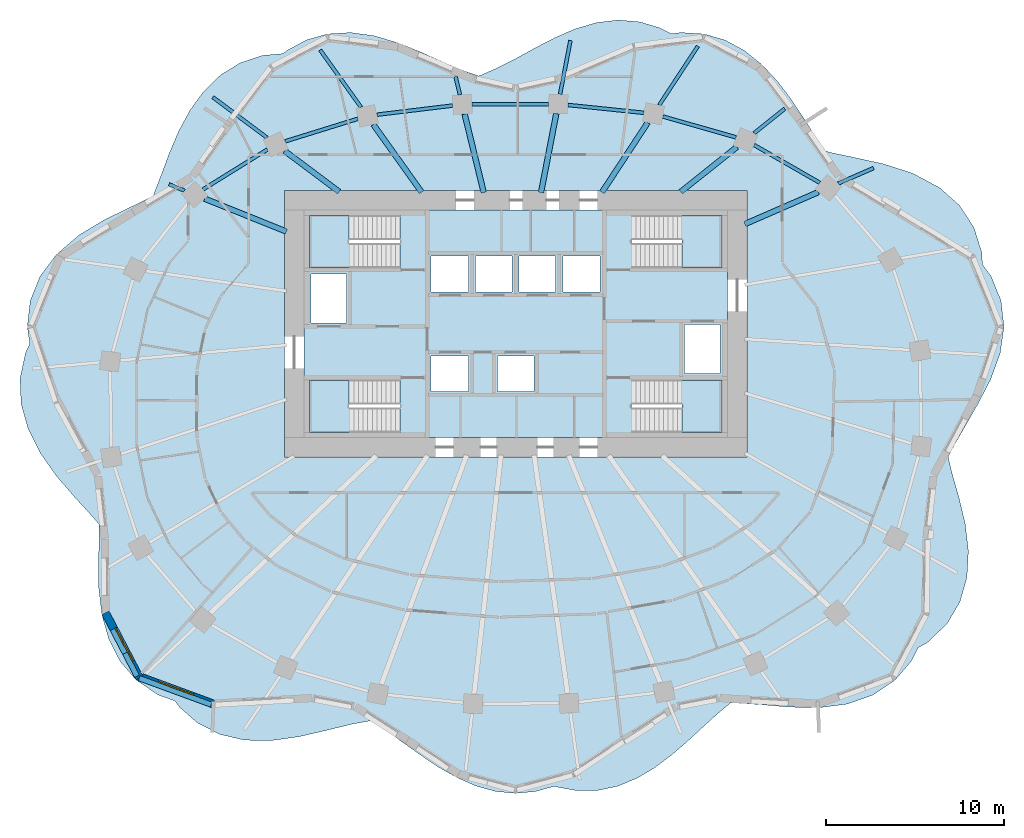
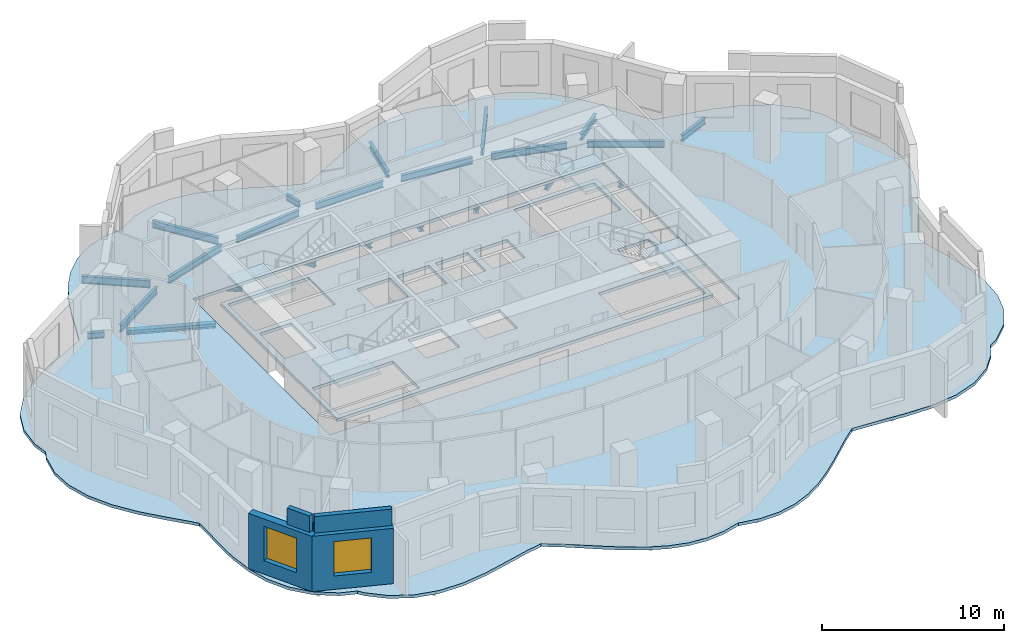
# One storey, part 2 of 10: 23 beams, 6 slabs, 4 walls, 2 windows, 2 openings, 4 elements without a shape of their own.
"""IFC4 building model written with IfcOpenShell, lengths in metres."""

from ifc_helpers import new_model, si_unit, direction, frame, frame_2d, origin, origin_2d, place, context, subcontext, project, spatial, polyline, rectangle, i_section, outline, extrude, material, layer, layer_set, material_profile, profile_set, type_object, element, fill, aggregate, save


model = new_model("IFC4")

# Units and contexts
model_context = context("Model", 3, precision=1e-05, world=origin(), true_north=direction((0.0, 1.0)))
body_context = subcontext(model_context, "Body", "Model", "MODEL_VIEW")
ifc_project = project(units=[si_unit("LENGTHUNIT", "METRE"), si_unit("AREAUNIT", "SQUARE_METRE"), si_unit("VOLUMEUNIT", "CUBIC_METRE"), si_unit("PLANEANGLEUNIT", "RADIAN"), si_unit("MASSUNIT", "GRAM", prefix="KILO")], contexts=[model_context])

# Site, building, storey
site_placement = place(None, origin())
site = spatial("IfcSite", under=ifc_project, at=site_placement, CompositionType="ELEMENT")
building_placement = place(site_placement, origin())
building = spatial("IfcBuilding", under=site, at=building_placement, Name="Rubra Terraces Tower", CompositionType="ELEMENT")
storey_placement = place(building_placement, frame((0.0, 0.0, 157.800048828125)))
storey = spatial("IfcBuildingStorey", under=building, at=storey_placement, Name="L38", CompositionType="ELEMENT", Elevation=157.800048828125)

# Beams
ifc_material_1 = material(Name="Steel Q355B", Category="steel")
ifc_material_profile_1 = material_profile(ifc_material_1, i_section(OverallWidth=0.199951171875, OverallDepth=0.39990234375, WebThickness=0.008056640625, FlangeThickness=0.012939453125, at=origin_2d()), Name="HN 400x200x8x13")
ifc_profile_set_1 = profile_set([ifc_material_profile_1], Name="Steel Q355B")
beam_type_1 = type_object("IfcBeamType", Name="CANTILEVER BEAM HN 400x200x8x13", PredefinedType="BEAM", material=ifc_profile_set_1)
beam_1_placement = place(storey_placement, frame((18.14990234375, 12.39697265625, -0.400146484375), z_axis=(0.916837475413, 0.399260621246, 0.0), x_axis=(-0.399260621246, 0.916837475413, 0.0)))
element("IfcBeam", 1, at=beam_1_placement, inside=storey, type_object=beam_type_1, Name="beam-L38-cant-03", PredefinedType="BEAM", context=body_context, shape_type="SweptSolid", body=[
    extrude(i_section(OverallWidth=0.199951171875, OverallDepth=0.39990234375, WebThickness=0.008056640625, FlangeThickness=0.012939453125, at=origin_2d()), origin(), (0.0, 0.0, 1.0), 2.154296875),
])
beam_2_placement = place(storey_placement, frame((13.416015625, 15.222900390625, -0.400146484375), z_axis=(0.781085866272, 0.624423629846, 0.0), x_axis=(-0.624423629846, 0.781085866272, 0.0)))
element("IfcBeam", 2, at=beam_2_placement, inside=storey, type_object=beam_type_1, Name="beam-L38-cant-04", PredefinedType="BEAM", context=body_context, shape_type="SweptSolid", body=[
    extrude(i_section(OverallWidth=0.199951171875, OverallDepth=0.39990234375, WebThickness=0.008056640625, FlangeThickness=0.012939453125, at=origin_2d()), origin(), (0.0, 0.0, 1.0), 2.194091796875),
])
beam_3_placement = place(storey_placement, frame((2.498046875, 17.406982421875, -0.400146484375), z_axis=(0.189676713401, 0.981846599217, 0.0), x_axis=(-0.981846599217, 0.189676713401, 0.0)))
element("IfcBeam", 3, at=beam_3_placement, inside=storey, type_object=beam_type_1, Name="beam-L38-cant-06", PredefinedType="BEAM", context=body_context, shape_type="SweptSolid", body=[
    extrude(i_section(OverallWidth=0.199951171875, OverallDepth=0.39990234375, WebThickness=0.008056640625, FlangeThickness=0.012939453125, at=origin_2d()), origin(), (0.0, 0.0, 1.0), 3.078857421875),
])
ifc_material_profile_2 = material_profile(ifc_material_1, i_section(OverallWidth=0.198974609375, OverallDepth=0.49609375, WebThickness=0.009033203125, FlangeThickness=0.013916015625, at=origin_2d()), Name="HN 496x199x9x14")
ifc_profile_set_2 = profile_set([ifc_material_profile_2], Name="Steel Q355B")
beam_type_2 = type_object("IfcBeamType", Name="CANTILEVER BEAM HN 496x199x9x14", PredefinedType="BEAM", material=ifc_profile_set_2)
for number, where, z_axis, x_axis, name in (
    (4, (8.076904296875, 16.803955078125, -0.447998046875), (0.548881869255, 0.835899930376, 0.0), (-0.835899930376, 0.548881869255, 0.0), "beam-L38-cant-05"),
    (5, (-8.695068359375, 16.679931640625, -0.447998046875), (-0.580975070834, 0.813921351895, 0.0), (-0.813921351895, -0.580975070834, 0.0), "beam-L38-cant-08"),
):
    element("IfcBeam", number, at=place(storey_placement, frame(where, z_axis=z_axis, x_axis=x_axis)), inside=storey, type_object=beam_type_2, Name=name, PredefinedType="BEAM", context=body_context, shape_type="SweptSolid", body=[
        extrude(i_section(OverallWidth=0.198974609375, OverallDepth=0.49609375, WebThickness=0.009033203125, FlangeThickness=0.013916015625, at=origin_2d()), origin(), (0.0, 0.0, 1.0), 3.9501953125),
    ])
beam_4_placement = place(storey_placement, frame((-13.989013671875, 14.971923828125, -0.447998046875), z_axis=(-0.800563432958, 0.599248020281, 0.0), x_axis=(-0.599248020281, -0.800563432958, 0.0)))
element("IfcBeam", 6, at=beam_4_placement, inside=storey, type_object=beam_type_2, Name="beam-L38-cant-09", PredefinedType="BEAM", context=body_context, shape_type="SweptSolid", body=[
    extrude(i_section(OverallWidth=0.198974609375, OverallDepth=0.49609375, WebThickness=0.009033203125, FlangeThickness=0.013916015625, at=origin_2d()), origin(), (0.0, 0.0, 1.0), 3.79345703125),
])
ifc_material_profile_3 = material_profile(ifc_material_1, i_section(OverallWidth=0.199951171875, OverallDepth=0.39990234375, WebThickness=0.008056640625, FlangeThickness=0.012939453125, at=origin_2d()), Name="HN 400x200x8x13")
ifc_profile_set_3 = profile_set([ifc_material_profile_3], Name="Steel Q355B")
beam_type_3 = type_object("IfcBeamType", Name="CANTILEVER STUB HN 400x200x8x13", PredefinedType="BEAM", material=ifc_profile_set_3)
beam_5_placement = place(storey_placement, frame((-3.131103515625, 17.37890625, -0.400146484375), z_axis=(-0.236256918559, 0.971690623827, 0.0), x_axis=(-0.971690623827, -0.236256918559, 0.0)))
element("IfcBeam", 7, at=beam_5_placement, inside=storey, type_object=beam_type_3, Name="beam-L38-cant-07", PredefinedType="BEAM", context=body_context, shape_type="SweptSolid", body=[
    extrude(i_section(OverallWidth=0.199951171875, OverallDepth=0.39990234375, WebThickness=0.008056640625, FlangeThickness=0.012939453125, at=origin_2d()), origin(), (0.0, 0.0, 1.0), 1.052978515625),
])
beam_6_placement = place(storey_placement, frame((-18.6201171875, 11.991943359375, -0.400146484375), z_axis=(-0.927539121082, 0.373726074636, 0.0), x_axis=(-0.373726074636, -0.927539121082, 0.0)))
element("IfcBeam", 8, at=beam_6_placement, inside=storey, type_object=beam_type_3, Name="beam-L38-cant-10", PredefinedType="BEAM", context=body_context, shape_type="SweptSolid", body=[
    extrude(i_section(OverallWidth=0.199951171875, OverallDepth=0.39990234375, WebThickness=0.008056640625, FlangeThickness=0.012939453125, at=origin_2d()), origin(), (0.0, 0.0, 1.0), 0.936767578125),
])
ifc_material_profile_4 = material_profile(ifc_material_1, i_section(OverallWidth=0.304931640625, OverallDepth=0.300048828125, WebThickness=0.014892578125, FlangeThickness=0.014892578125, at=origin_2d()), Name="HW 300x305x15x15")
ifc_profile_set_4 = profile_set([ifc_material_profile_4], Name="Steel Q355B")
beam_type_4 = type_object("IfcBeamType", Name="FLOOR BEAM HW 300x305x15x15", PredefinedType="BEAM", material=ifc_profile_set_4)
beam_7_placement = place(storey_placement, frame((17.01806640625, 11.905029296875, -0.35009765625), z_axis=(-0.916965704309, -0.398966035047, 0.0), x_axis=(0.398966035047, -0.916965704309, 0.0)))
element("IfcBeam", 9, at=beam_7_placement, inside=storey, type_object=beam_type_4, Name="beam-L38-floor-03", PredefinedType="BEAM", context=body_context, shape_type="SweptSolid", body=[
    extrude(i_section(OverallWidth=0.304931640625, OverallDepth=0.300048828125, WebThickness=0.014892578125, FlangeThickness=0.014892578125, at=origin_2d()), origin(), (0.0, 0.0, 1.0), 4.501953125),
])
beam_8_placement = place(storey_placement, frame((12.43798828125, 14.44091796875, -0.35009765625), z_axis=(-0.781170160898, -0.624318171867, 0.0), x_axis=(0.624318171867, -0.781170160898, 0.0)))
element("IfcBeam", 10, at=beam_8_placement, inside=storey, type_object=beam_type_4, Name="beam-L38-floor-04", PredefinedType="BEAM", context=body_context, shape_type="SweptSolid", body=[
    extrude(i_section(OverallWidth=0.304931640625, OverallDepth=0.300048828125, WebThickness=0.014892578125, FlangeThickness=0.014892578125, at=origin_2d()), origin(), (0.0, 0.0, 1.0), 4.02978515625),
])
beam_9_placement = place(storey_placement, frame((7.425048828125, 15.81005859375, -0.35009765625), z_axis=(-0.548820601732, -0.835940157616, 0.0), x_axis=(0.835940157616, -0.548820601732, 0.0)))
element("IfcBeam", 11, at=beam_9_placement, inside=storey, type_object=beam_type_4, Name="beam-L38-floor-05", PredefinedType="BEAM", context=body_context, shape_type="SweptSolid", body=[
    extrude(i_section(OverallWidth=0.304931640625, OverallDepth=0.300048828125, WebThickness=0.014892578125, FlangeThickness=0.014892578125, at=origin_2d()), origin(), (0.0, 0.0, 1.0), 4.677490234375),
])
beam_10_placement = place(storey_placement, frame((2.285888671875, 16.31689453125, -0.35009765625), z_axis=(-0.189927794489, -0.981798061151, 0.0), x_axis=(0.981798061151, -0.189927794489, 0.0)))
element("IfcBeam", 12, at=beam_10_placement, inside=storey, type_object=beam_type_4, Name="beam-L38-floor-06", PredefinedType="BEAM", context=body_context, shape_type="SweptSolid", body=[
    extrude(i_section(OverallWidth=0.304931640625, OverallDepth=0.300048828125, WebThickness=0.014892578125, FlangeThickness=0.014892578125, at=origin_2d()), origin(), (0.0, 0.0, 1.0), 4.51708984375),
])
beam_11_placement = place(storey_placement, frame((-2.866943359375, 16.29296875, -0.35009765625), z_axis=(0.236214306521, -0.971700983531, 0.0), x_axis=(0.971700983531, 0.236214306521, 0.0)))
element("IfcBeam", 13, at=beam_11_placement, inside=storey, type_object=beam_type_4, Name="beam-L38-floor-07", PredefinedType="BEAM", context=body_context, shape_type="SweptSolid", body=[
    extrude(i_section(OverallWidth=0.304931640625, OverallDepth=0.300048828125, WebThickness=0.014892578125, FlangeThickness=0.014892578125, at=origin_2d()), origin(), (0.0, 0.0, 1.0), 4.538330078125),
])
beam_12_placement = place(storey_placement, frame((-7.9990234375, 15.7041015625, -0.35009765625), z_axis=(0.581010755177, -0.813895879317, 0.0), x_axis=(0.813895879317, 0.581010755177, 0.0)))
element("IfcBeam", 14, at=beam_12_placement, inside=storey, type_object=beam_type_4, Name="beam-L38-floor-08", PredefinedType="BEAM", context=body_context, shape_type="SweptSolid", body=[
    extrude(i_section(OverallWidth=0.304931640625, OverallDepth=0.300048828125, WebThickness=0.014892578125, FlangeThickness=0.014892578125, at=origin_2d()), origin(), (0.0, 0.0, 1.0), 4.67138671875),
])
beam_13_placement = place(storey_placement, frame((-12.985107421875, 14.219970703125, -0.35009765625), z_axis=(0.800566460925, -0.599243975057, 0.0), x_axis=(0.599243975057, 0.800566460925, 0.0)))
element("IfcBeam", 15, at=beam_13_placement, inside=storey, type_object=beam_type_4, Name="beam-L38-floor-09", PredefinedType="BEAM", context=body_context, shape_type="SweptSolid", body=[
    extrude(i_section(OverallWidth=0.304931640625, OverallDepth=0.300048828125, WebThickness=0.014892578125, FlangeThickness=0.014892578125, at=origin_2d()), origin(), (0.0, 0.0, 1.0), 3.82470703125),
])
beam_14_placement = place(storey_placement, frame((-17.48193359375, 11.533935546875, -0.35009765625), z_axis=(0.927730023822, -0.373251929533, 0.0), x_axis=(0.373251929533, 0.927730023822, 0.0)))
element("IfcBeam", 16, at=beam_14_placement, inside=storey, type_object=beam_type_4, Name="beam-L38-floor-10", PredefinedType="BEAM", context=body_context, shape_type="SweptSolid", body=[
    extrude(i_section(OverallWidth=0.304931640625, OverallDepth=0.300048828125, WebThickness=0.014892578125, FlangeThickness=0.014892578125, at=origin_2d()), origin(), (0.0, 0.0, 1.0), 4.950927734375),
])
ifc_material_profile_5 = material_profile(ifc_material_1, i_section(OverallWidth=0.198974609375, OverallDepth=0.446044921875, WebThickness=0.008056640625, FlangeThickness=0.011962890625, at=origin_2d()), Name="HN 446x199x8x12")
ifc_profile_set_5 = profile_set([ifc_material_profile_5], Name="Steel Q355B")
beam_type_5 = type_object("IfcBeamType", Name="SPANDREL BEAM HN 446x199x8x12", PredefinedType="SPANDREL", material=ifc_profile_set_5)
beam_15_placement = place(storey_placement, frame((17.10009765625, 12.428955078125, -0.423095703125), z_axis=(-0.866560147027, 0.49907265161, 0.0), x_axis=(-0.49907265161, -0.866560147027, 0.0)))
element("IfcBeam", 17, at=beam_15_placement, inside=storey, type_object=beam_type_5, Name="beam-L38-spandrel-03", PredefinedType="SPANDREL", context=body_context, shape_type="SweptSolid", body=[
    extrude(i_section(OverallWidth=0.198974609375, OverallDepth=0.446044921875, WebThickness=0.008056640625, FlangeThickness=0.011962890625, at=origin_2d()), origin(), (0.0, 0.0, 1.0), 4.26171875),
])
beam_16_placement = place(storey_placement, frame((12.39404296875, 14.98388671875, -0.423095703125), z_axis=(-0.961693978406, 0.274125321518, 0.0), x_axis=(-0.274125321518, -0.961693978406, 0.0)))
element("IfcBeam", 18, at=beam_16_placement, inside=storey, type_object=beam_type_5, Name="beam-L38-spandrel-04", PredefinedType="SPANDREL", context=body_context, shape_type="SweptSolid", body=[
    extrude(i_section(OverallWidth=0.198974609375, OverallDepth=0.446044921875, WebThickness=0.008056640625, FlangeThickness=0.011962890625, at=origin_2d()), origin(), (0.0, 0.0, 1.0), 4.27587890625),
])
beam_17_placement = place(storey_placement, frame((7.201904296875, 16.364013671875, -0.423095703125), z_axis=(-0.994691190497, 0.102904983103, 0.0), x_axis=(-0.102904983103, -0.994691190497, 0.0)))
element("IfcBeam", 19, at=beam_17_placement, inside=storey, type_object=beam_type_5, Name="beam-L38-spandrel-05", PredefinedType="SPANDREL", context=body_context, shape_type="SweptSolid", body=[
    extrude(i_section(OverallWidth=0.198974609375, OverallDepth=0.446044921875, WebThickness=0.008056640625, FlangeThickness=0.011962890625, at=origin_2d()), origin(), (0.0, 0.0, 1.0), 4.28466796875),
])
beam_18_placement = place(storey_placement, frame((1.841064453125, 16.85888671875, -0.423095703125), z_axis=(-0.999989371096, -0.004610606731, 0.0), x_axis=(0.004610606731, -0.999989371096, 0.0)))
element("IfcBeam", 20, at=beam_18_placement, inside=storey, type_object=beam_type_5, Name="beam-L38-spandrel-06", PredefinedType="SPANDREL", context=body_context, shape_type="SweptSolid", body=[
    extrude(i_section(OverallWidth=0.198974609375, OverallDepth=0.446044921875, WebThickness=0.008056640625, FlangeThickness=0.011962890625, at=origin_2d()), origin(), (0.0, 0.0, 1.0), 4.2890625),
])
beam_19_placement = place(storey_placement, frame((-3.5458984375, 16.77001953125, -0.423095703125), z_axis=(-0.992833084949, -0.119509269223, 0.0), x_axis=(0.119509269223, -0.992833084949, 0.0)))
element("IfcBeam", 21, at=beam_19_placement, inside=storey, type_object=beam_type_5, Name="beam-L38-spandrel-07", PredefinedType="SPANDREL", context=body_context, shape_type="SweptSolid", body=[
    extrude(i_section(OverallWidth=0.198974609375, OverallDepth=0.446044921875, WebThickness=0.008056640625, FlangeThickness=0.011962890625, at=origin_2d()), origin(), (0.0, 0.0, 1.0), 4.283935546875),
])
beam_20_placement = place(storey_placement, frame((-8.8740234375, 16.028076171875, -0.423095703125), z_axis=(-0.955002801089, -0.296596780008, 0.0), x_axis=(0.296596780008, -0.955002801089, 0.0)))
element("IfcBeam", 22, at=beam_20_placement, inside=storey, type_object=beam_type_5, Name="beam-L38-spandrel-08", PredefinedType="SPANDREL", context=body_context, shape_type="SweptSolid", body=[
    extrude(i_section(OverallWidth=0.198974609375, OverallDepth=0.446044921875, WebThickness=0.008056640625, FlangeThickness=0.011962890625, at=origin_2d()), origin(), (0.0, 0.0, 1.0), 4.275390625),
])
beam_21_placement = place(storey_placement, frame((-13.9580078125, 14.303955078125, -0.423095703125), z_axis=(-0.849549830498, -0.527508374816, 0.0), x_axis=(0.527508374816, -0.849549830498, 0.0)))
element("IfcBeam", 23, at=beam_21_placement, inside=storey, type_object=beam_type_5, Name="beam-L38-spandrel-09", PredefinedType="SPANDREL", context=body_context, shape_type="SweptSolid", body=[
    extrude(i_section(OverallWidth=0.198974609375, OverallDepth=0.446044921875, WebThickness=0.008056640625, FlangeThickness=0.011962890625, at=origin_2d()), origin(), (0.0, 0.0, 1.0), 4.259765625),
])

# Slab
ifc_material_2 = material(Name="Concrete C40", Category="concrete")
ifc_layer_1 = layer(ifc_material_2, 0.199951171875)
ifc_layer_set_1 = layer_set([ifc_layer_1], Name="Concrete C40")
slab_type_1 = type_object("IfcSlabType", Name="Core floor slab 200 concrete", PredefinedType="FLOOR", material=ifc_layer_set_1)
slab_1_placement = place(storey_placement, frame((0.0, 0.0, -0.199951171875)))
element("IfcSlab", 24, at=slab_1_placement, inside=storey, type_object=slab_type_1, Name="CORE FLOOR SLAB L38", PredefinedType="FLOOR", context=body_context, shape_type="SweptSolid", body=[
    extrude(outline(polyline([(-11.89990234375, -1.89990234375), (-11.89990234375, 10.89990234375), (11.89990234375, 10.89990234375), (11.89990234375, -1.89990234375), (-11.89990234375, -1.89990234375)]), holes=[polyline([(11.597900390625, 1.347900390625), (6.501953125, 1.347900390625), (6.501953125, -1.597900390625), (11.597900390625, -1.597900390625), (11.597900390625, 1.347900390625)]), polyline([(11.597900390625, 7.652099609375), (11.597900390625, 10.597900390625), (6.501953125, 10.597900390625), (6.501953125, 7.652099609375), (11.597900390625, 7.652099609375)]), polyline([(9.5, 1.699951171875), (11.5, 1.699951171875), (11.5, 4.449951171875), (9.5, 4.449951171875), (9.5, 1.699951171875)]), polyline([(4.75, 6.300048828125), (4.75, 8.300048828125), (2.64990234375, 8.300048828125), (2.64990234375, 6.300048828125), (4.75, 6.300048828125)]), polyline([(2.25, 8.300048828125), (0.199951171875, 8.300048828125), (0.199951171875, 6.300048828125), (2.25, 6.300048828125), (2.25, 8.300048828125)]), polyline([(1.02490234375, 0.699951171875), (1.02490234375, 2.699951171875), (-1.02490234375, 2.699951171875), (-1.02490234375, 0.699951171875), (1.02490234375, 0.699951171875)]), polyline([(-0.199951171875, 6.300048828125), (-0.199951171875, 8.300048828125), (-2.25, 8.300048828125), (-2.25, 6.300048828125), (-0.199951171875, 6.300048828125)]), polyline([(-4.75, 8.300048828125), (-4.75, 6.300048828125), (-2.64990234375, 6.300048828125), (-2.64990234375, 8.300048828125), (-4.75, 8.300048828125)]), polyline([(-2.64990234375, 0.699951171875), (-2.64990234375, 2.699951171875), (-4.75, 2.699951171875), (-4.75, 0.699951171875), (-2.64990234375, 0.699951171875)]), polyline([(-11.597900390625, -1.597900390625), (-6.501953125, -1.597900390625), (-6.501953125, 1.347900390625), (-11.597900390625, 1.347900390625), (-11.597900390625, -1.597900390625)]), polyline([(-11.597900390625, 10.597900390625), (-11.597900390625, 7.652099609375), (-6.501953125, 7.652099609375), (-6.501953125, 10.597900390625), (-11.597900390625, 10.597900390625)]), polyline([(-9.5, 4.550048828125), (-9.5, 7.300048828125), (-11.5, 7.300048828125), (-11.5, 4.550048828125), (-9.5, 4.550048828125)])]), origin(), (0.0, 0.0, 1.0), 0.199951171875),
])

# Stair, slab
stair_type = type_object("IfcStairType", Name="Core stair 1400", PredefinedType="HALF_TURN_STAIR", material=ifc_material_2)
stair_1_placement = place(storey_placement, origin())
stair_1 = element("IfcStair", 25, at=stair_1_placement, inside=storey, type_object=stair_type, Name="L38 Exit stair S1", PredefinedType="HALF_TURN_STAIR")
ifc_layer_2 = layer(ifc_material_2, 0.199951171875)
ifc_layer_set_2 = layer_set([ifc_layer_2], Name="Concrete C40")
slab_type_2 = type_object("IfcSlabType", Name="Core stair landing 200", PredefinedType="LANDING", material=ifc_layer_set_2)
slab_2_placement = place(storey_placement, frame((0.0, 0.0, 1.75)))
slab_2 = element("IfcSlab", 26, at=slab_2_placement, type_object=slab_type_2, Name="S1 landing 1", PredefinedType="LANDING", context=body_context, shape_type="SweptSolid", body=[
    extrude(outline(polyline([(-8.97998046875, -0.199951171875), (-8.97998046875, -1.60009765625), (-9.360107421875, -1.60009765625), (-9.3798828125, -1.60009765625), (-11.60009765625, -1.60009765625), (-11.60009765625, 1.35009765625), (-9.3798828125, 1.35009765625), (-9.35791015625, 1.35009765625), (-9.35791015625, -0.050048828125), (-9.360107421875, -0.050048828125), (-9.360107421875, -0.199951171875), (-8.97998046875, -0.199951171875)])), origin(), (0.0, 0.0, 1.0), 0.199951171875),
])
aggregate(stair_1, [slab_2])

stair_2_placement = place(storey_placement, origin())
stair_2 = element("IfcStair", 27, at=stair_2_placement, inside=storey, type_object=stair_type, Name="L38 Exit stair S2", PredefinedType="HALF_TURN_STAIR")
slab_3_placement = place(storey_placement, frame((0.0, 0.0, 1.75)))
slab_3 = element("IfcSlab", 28, at=slab_3_placement, type_object=slab_type_2, Name="S2 landing 1", PredefinedType="LANDING", context=body_context, shape_type="SweptSolid", body=[
    extrude(outline(polyline([(-8.97998046875, 9.050048828125), (-8.97998046875, 7.64990234375), (-9.3798828125, 7.64990234375), (-11.60009765625, 7.64990234375), (-11.60009765625, 10.60009765625), (-9.3798828125, 10.60009765625), (-9.360107421875, 10.60009765625), (-9.35791015625, 10.60009765625), (-9.35791015625, 9.199951171875), (-9.360107421875, 9.199951171875), (-9.360107421875, 9.050048828125), (-8.97998046875, 9.050048828125)])), origin(), (0.0, 0.0, 1.0), 0.199951171875),
])
aggregate(stair_2, [slab_3])

stair_3_placement = place(storey_placement, origin())
stair_3 = element("IfcStair", 29, at=stair_3_placement, inside=storey, type_object=stair_type, Name="L38 Exit stair S3", PredefinedType="HALF_TURN_STAIR")
slab_4_placement = place(storey_placement, frame((0.0, 0.0, 1.75)))
slab_4 = element("IfcSlab", 30, at=slab_4_placement, type_object=slab_type_2, Name="S3 landing 1", PredefinedType="LANDING", context=body_context, shape_type="SweptSolid", body=[
    extrude(outline(polyline([(9.360107421875, 9.050048828125), (9.360107421875, 9.199951171875), (8.97998046875, 9.199951171875), (8.97998046875, 10.60009765625), (9.360107421875, 10.60009765625), (9.3798828125, 10.60009765625), (11.60009765625, 10.60009765625), (11.60009765625, 7.64990234375), (9.3798828125, 7.64990234375), (9.35791015625, 7.64990234375), (9.35791015625, 9.050048828125), (9.360107421875, 9.050048828125)])), origin(), (0.0, 0.0, 1.0), 0.199951171875),
])
aggregate(stair_3, [slab_4])

stair_4_placement = place(storey_placement, origin())
stair_4 = element("IfcStair", 31, at=stair_4_placement, inside=storey, type_object=stair_type, Name="L38 Exit stair S4", PredefinedType="HALF_TURN_STAIR")
slab_5_placement = place(storey_placement, frame((0.0, 0.0, 1.75)))
slab_5 = element("IfcSlab", 32, at=slab_5_placement, type_object=slab_type_2, Name="S4 landing 1", PredefinedType="LANDING", context=body_context, shape_type="SweptSolid", body=[
    extrude(outline(polyline([(9.360107421875, -0.199951171875), (9.360107421875, -0.050048828125), (8.97998046875, -0.050048828125), (8.97998046875, 1.35009765625), (9.360107421875, 1.35009765625), (9.3798828125, 1.35009765625), (11.60009765625, 1.35009765625), (11.60009765625, -1.60009765625), (9.3798828125, -1.60009765625), (9.360107421875, -1.60009765625), (9.35791015625, -1.60009765625), (9.35791015625, -0.199951171875), (9.360107421875, -0.199951171875)])), origin(), (0.0, 0.0, 1.0), 0.199951171875),
])
aggregate(stair_4, [slab_5])

# Slab
ifc_layer_3 = layer(ifc_material_2, 0.199951171875)
ifc_layer_set_3 = layer_set([ifc_layer_3], Name="Concrete C40")
slab_type_3 = type_object("IfcSlabType", Name="FLOOR SLAB 200 COMPOSITE", PredefinedType="FLOOR", material=ifc_layer_set_3)
slab_6_placement = place(storey_placement, frame((0.0, 0.0, -0.199951171875)))
element("IfcSlab", 33, at=slab_6_placement, inside=storey, type_object=slab_type_3, Name="FLOOR SLAB L38", PredefinedType="FLOOR", context=body_context, shape_type="SweptSolid", body=[
    extrude(outline(polyline([(11.35302734375, -17.426025390625), (12.089111328125, -16.81396484375), (12.212890625, -16.81005859375), (13.7490234375, -16.909912109375), (15.388916015625, -17.052978515625), (17.083984375, -17.083984375), (18.64892578125, -16.881103515625), (20.10205078125, -16.368896484375), (21.35400390625, -15.513916015625), (22.241943359375, -14.47509765625), (22.632080078125, -13.714111328125), (23.134033203125, -13.43896484375), (24.260986328125, -12.362060546875), (24.98291015625, -11.135986328125), (25.3779296875, -9.7451171875), (25.4599609375, -8.27294921875), (25.278076171875, -6.735107421875), (24.927001953125, -5.261962890625), (24.534912109375, -3.885986328125), (24.323974609375, -3.0048828125), (24.51708984375, -2.596923828125), (25.22998046875, -1.337890625), (26.0, 0.0), (26.718017578125, 1.386962890625), (27.2451171875, 2.844970703125), (27.458984375, 4.34912109375), (27.291015625, 5.80810546875), (26.73388671875, 7.178955078125), (26.248046875, 7.8310546875), (26.2109375, 8.51611328125), (25.76708984375, 9.925048828125), (24.9599609375, 11.156005859375), (23.844970703125, 12.14990234375), (22.326904296875, 12.964111328125), (20.68408203125, 13.493896484375), (19.06005859375, 13.847900390625), (17.616943359375, 14.156005859375), (17.431884765625, 14.214111328125), (17.51611328125, 14.092041015625), (16.839111328125, 15.072998046875), (16.14794921875, 16.14794921875), (15.462890625, 17.169921875), (14.7041015625, 18.1640625), (13.85595703125, 19.071044921875), (12.85888671875, 19.8720703125), (11.76708984375, 20.4580078125), (10.596923828125, 20.799072265625), (9.279052734375, 20.881103515625), (8.758056640625, 20.80810546875), (8.0849609375, 21.14990234375), (6.97900390625, 21.47900390625), (5.77294921875, 21.5830078125), (4.552978515625, 21.43994140625), (3.339111328125, 21.0810546875), (2.205078125, 20.589111328125), (1.093017578125, 20.010986328125), (0.0, 19.4130859375), (-0.97509765625, 18.9140625), (-1.93408203125, 18.491943359375), (-2.083984375, 18.44189453125), (-2.969970703125, 18.75), (-4.14404296875, 19.25), (-5.35302734375, 19.7919921875), (-6.593994140625, 20.29296875), (-7.93505859375, 20.694091796875), (-9.279052734375, 20.881103515625), (-10.596923828125, 20.799072265625), (-11.76708984375, 20.4580078125), (-12.85888671875, 19.8720703125), (-13.0791015625, 19.695068359375), (-14.23388671875, 19.592041015625), (-15.471923828125, 19.18310546875), (-16.589111328125, 18.493896484375), (-17.555908203125, 17.555908203125), (-18.319091796875, 16.498046875), (-18.945068359375, 15.3349609375), (-19.4560546875, 14.135986328125), (-19.930908203125, 12.864013671875), (-20.384033203125, 11.68798828125), (-21.68408203125, 11.048095703125), (-23.1201171875, 10.35205078125), (-24.552001953125, 9.488037109375), (-25.8291015625, 8.39208984375), (-26.73388671875, 7.178955078125), (-27.291015625, 5.80810546875), (-27.458984375, 4.34912109375), (-27.319091796875, 3.365966796875), (-27.554931640625, 2.8779296875), (-27.867919921875, 1.43408203125), (-27.806884765625, 0.0), (-27.407958984375, -1.41796875), (-26.7099609375, -2.801025390625), (-25.800048828125, -4.0859375), (-24.75390625, -5.2958984375), (-23.74609375, -6.39208984375), (-23.422119140625, -6.782958984375), (-23.419921875, -7.610107421875), (-23.4599609375, -8.9580078125), (-23.43994140625, -10.39111328125), (-23.264892578125, -11.85400390625), (-22.87890625, -13.22998046875), (-22.241943359375, -14.47509765625), (-21.35400390625, -15.513916015625), (-20.10205078125, -16.368896484375), (-18.64892578125, -16.881103515625), (-19.1630859375, -16.699951171875), (-18.89697265625, -17.056884765625), (-17.919921875, -17.919921875), (-16.65087890625, -18.5810546875), (-15.242919921875, -18.908935546875), (-13.757080078125, -18.93505859375), (-12.18310546875, -18.716064453125), (-10.64404296875, -18.361083984375), (-9.172119140625, -18.001953125), (-8.18896484375, -17.822998046875), (-8.008056640625, -17.9189453125), (-7.1201171875, -18.489013671875), (-6.215087890625, -19.1279296875), (-5.281982421875, -19.79296875), (-4.319091796875, -20.43505859375), (-3.326904296875, -21.00390625), (-2.22705078125, -21.489013671875), (-1.113037109375, -21.7958984375), (0.0, -21.89990234375), (1.113037109375, -21.7958984375), (2.176025390625, -21.5029296875), (2.281005859375, -21.5400390625), (3.445068359375, -21.751953125), (4.596923828125, -21.739990234375), (5.73291015625, -21.5), (6.837890625, -21.0439453125), (7.826904296875, -20.4541015625), (8.77099609375, -19.748046875), (9.6669921875, -18.972900390625), (10.52490234375, -18.180908203125), (11.35302734375, -17.426025390625)]), holes=[polyline([(13.0, 12.0), (13.0, -3.0), (-13.0, -3.0), (-13.0, 12.0), (13.0, 12.0)])]), origin(), (0.0, 0.0, 1.0), 0.199951171875),
])

# Wall, opening, window
ifc_material_3 = material(Name="Brick masonry red-brown", Category="masonry")
ifc_layer_4 = layer(ifc_material_3, 0.449951171875)
ifc_layer_set_4 = layer_set([ifc_layer_4], Name="Brick masonry red-brown")
wall_type_1 = type_object("IfcWallType", Name="Brick facade wall 450", PredefinedType="SOLIDWALL", material=ifc_layer_set_4)
wall_1_placement = place(storey_placement, frame((-23.065673828125, -11.75, 0.0), z_axis=(0.0, 0.0, 1.0), x_axis=(0.46287314096, -0.886424534508, 0.0)))
wall_1 = element("IfcWall", 34, at=wall_1_placement, inside=storey, type_object=wall_type_1, Name="Facade wall L38 bay 24", PredefinedType="SOLIDWALL", context=body_context, shape_type="SweptSolid", body=[
    extrude(rectangle(XDim=4.12890625, YDim=0.449951171875, at=frame_2d((2.064453125, 0.0))), origin(), (0.0, 0.0, 1.0), 3.699951171875),
])
opening_1_placement = place(wall_1_placement, frame((1.014404296875, 0.0, 0.89990234375)))
opening_1 = element("IfcOpeningElement", 35, at=opening_1_placement, cuts=wall_1, Name="Opening W1B", PredefinedType="OPENING", context=body_context, shape_type="SweptSolid", body=[
    extrude(rectangle(XDim=2.10009765625, YDim=2.300048828125, at=frame_2d((1.050048828125, 1.14990234375))), frame((0.0, 0.23486328125, 0.0), z_axis=(0.0, -1.0, 0.0), x_axis=(1.0, 0.0, 0.0)), (0.0, 0.0, 1.0), 0.469970703125),
])
ifc_material_4 = material(Name="Clear glass in aluminium frame", Category="aluminium")
window_type = type_object("IfcWindowType", Name="Fixed deep-set window tall storey 2100 x 2300", PartitioningType="SINGLE_PANEL", PredefinedType="WINDOW", material=ifc_material_4)
window_1_placement = place(opening_1_placement, origin())
window_1 = element("IfcWindow", 36, at=window_1_placement, inside=storey, type_object=window_type, Name="Window L38 bay 24", OverallHeight=2.300048828125, OverallWidth=2.10009765625, PartitioningType="SINGLE_PANEL", PredefinedType="WINDOW", context=body_context, shape_type="SweptSolid", body=[
    extrude(rectangle(XDim=2.10009765625, YDim=2.300048828125, at=frame_2d((1.050048828125, 1.14990234375))), frame((0.0, 0.135009765625, 0.0), z_axis=(0.0, -1.0, 0.0), x_axis=(1.0, 0.0, 0.0)), (0.0, 0.0, 1.0), 0.06005859375),
])
fill(opening_1, window_1)

wall_2_placement = place(storey_placement, frame((-21.2763671875, -15.302734375, 0.0), z_axis=(0.0, 0.0, 1.0), x_axis=(0.938563728531, -0.345105965591, 0.0)))
wall_2 = element("IfcWall", 37, at=wall_2_placement, inside=storey, type_object=wall_type_1, Name="Facade wall L38 bay 25", PredefinedType="SOLIDWALL", context=body_context, shape_type="SweptSolid", body=[
    extrude(rectangle(XDim=4.549560546875, YDim=0.449951171875, at=frame_2d((2.27490234375, 0.0))), origin(), (0.0, 0.0, 1.0), 3.699951171875),
])
opening_2_placement = place(wall_2_placement, frame((1.224609375, 0.0, 0.89990234375)))
opening_2 = element("IfcOpeningElement", 38, at=opening_2_placement, cuts=wall_2, Name="Opening W1B", PredefinedType="OPENING", context=body_context, shape_type="SweptSolid", body=[
    extrude(rectangle(XDim=2.10009765625, YDim=2.300048828125, at=frame_2d((1.050048828125, 1.14990234375))), frame((0.0, 0.23486328125, 0.0), z_axis=(0.0, -1.0, 0.0), x_axis=(1.0, 0.0, 0.0)), (0.0, 0.0, 1.0), 0.469970703125),
])
window_2_placement = place(opening_2_placement, origin())
window_2 = element("IfcWindow", 39, at=window_2_placement, inside=storey, type_object=window_type, Name="Window L38 bay 25", OverallHeight=2.300048828125, OverallWidth=2.10009765625, PartitioningType="SINGLE_PANEL", PredefinedType="WINDOW", context=body_context, shape_type="SweptSolid", body=[
    extrude(rectangle(XDim=2.10009765625, YDim=2.300048828125, at=frame_2d((1.050048828125, 1.14990234375))), frame((0.0, 0.135009765625, 0.0), z_axis=(0.0, -1.0, 0.0), x_axis=(1.0, 0.0, 0.0)), (0.0, 0.0, 1.0), 0.06005859375),
])
fill(opening_2, window_2)

# Walls
ifc_layer_5 = layer(ifc_material_3, 0.300048828125)
ifc_layer_set_5 = layer_set([ifc_layer_5], Name="Brick masonry red-brown")
wall_type_2 = type_object("IfcWallType", Name="Brick parapet 300", PredefinedType="PARAPET", material=ifc_layer_set_5)
wall_3_placement = place(storey_placement, frame((-21.9638671875, -14.022216796875, 3.89990234375), z_axis=(0.0, 0.0, 1.0), x_axis=(0.462943478274, -0.88638780222, 0.0)))
element("IfcWall", 40, at=wall_3_placement, inside=storey, type_object=wall_type_2, Name="Parapet L38 bay 24", PredefinedType="PARAPET", context=body_context, shape_type="SweptSolid", body=[
    extrude(rectangle(XDim=1.458740234375, YDim=0.300048828125, at=frame_2d((0.7294921875, 0.0))), origin(), (0.0, 0.0, 1.0), 1.10009765625),
])
wall_4_placement = place(storey_placement, frame((-21.165283203125, -15.423583984375, 3.89990234375), z_axis=(0.0, 0.0, 1.0), x_axis=(0.93857396844, -0.345078115455, 0.0)))
element("IfcWall", 41, at=wall_4_placement, inside=storey, type_object=wall_type_2, Name="Parapet L38 bay 25", PredefinedType="PARAPET", context=body_context, shape_type="SweptSolid", body=[
    extrude(rectangle(XDim=4.3115234375, YDim=0.300048828125, at=frame_2d((2.15576171875, 0.0))), origin(), (0.0, 0.0, 1.0), 1.10009765625),
])

save(model, "model.ifc")
